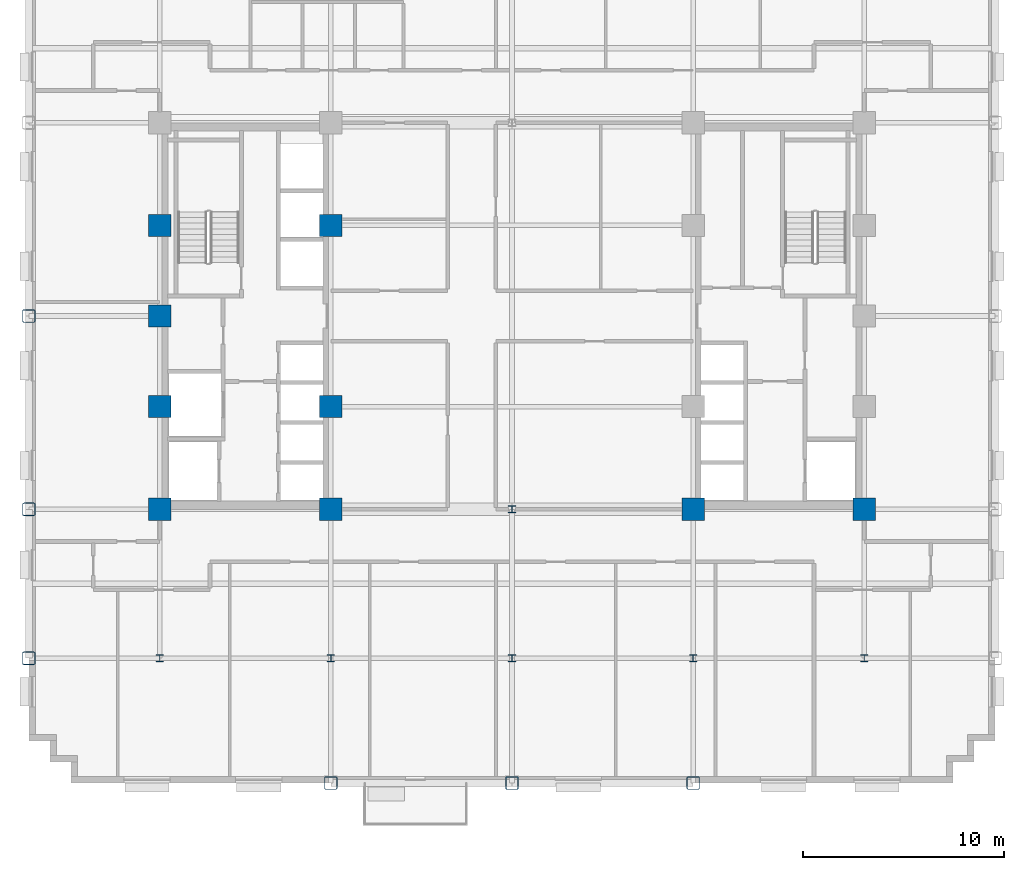
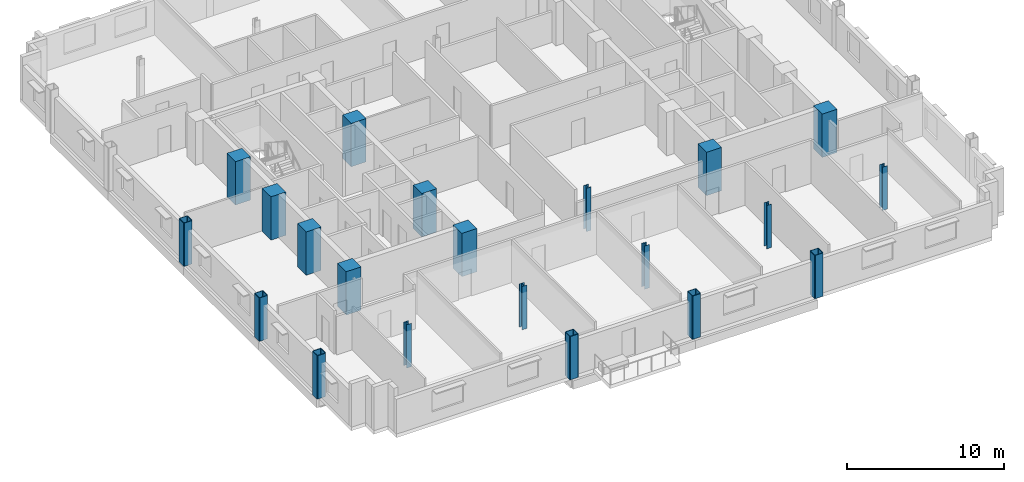
# One storey, part 1 of 14: 21 columns.
"""IFC4 building model written with IfcOpenShell, lengths in metres."""

import ifcopenshell
import ifcopenshell.guid

model = None  # the IFC model being written
_history = None  # IfcOwnerHistory: only IFC2X3 demands one
_inside = {}  # id of a spatial element -> (the spatial element, [elements in it])
_under = {}  # id of a project, library or spatial element -> (it, [spatial elements below it])
_declared = {}  # id of a project -> (the project, [libraries it declares])
_typed = {}  # id of a type object -> (the type object, [elements of that type])
_made_of = {}  # id of a material, layer set ... -> (it, [elements and type objects made of it])


def new_model(schema):
    """Start an empty IFC model of exactly this schema.

    Asked for "IFC4X3", IfcOpenShell would pick the latest addendum, in which some entities
    have other attributes; the version numbers below select the first issue.
    IFC2X3 requires an IfcOwnerHistory on every rooted entity: one is made here for all.
    """
    global model, _history
    if schema == "IFC4X3":
        model = ifcopenshell.file(schema_version=(4, 3, 0, 0))
    else:
        model = ifcopenshell.file(schema=schema)
    _inside.clear()
    _under.clear()
    _declared.clear()
    _typed.clear()
    _made_of.clear()
    _history = None
    if model.schema == "IFC2X3":
        org = make("IfcOrganization", Name="unknown")
        user = make(
            "IfcPersonAndOrganization",
            ThePerson=make("IfcPerson", FamilyName="unknown"),
            TheOrganization=org,
        )
        app = make(
            "IfcApplication",
            ApplicationDeveloper=org,
            Version="unknown",
            ApplicationFullName="unknown",
            ApplicationIdentifier="unknown",
        )
        _history = make(
            "IfcOwnerHistory",
            OwningUser=user,
            OwningApplication=app,
            ChangeAction="ADDED",
            CreationDate=0,
        )
    return model


def make(cls, **values):
    """One entity of the class cls with the attributes given. An attribute that is None is left unset."""
    return model.create_entity(
        cls, **{name: value for name, value in values.items() if value is not None}
    )


def rooted(cls, **values):
    """An entity with a GlobalId (a new one), such as an element, a storey or a relation."""
    return make(cls, GlobalId=ifcopenshell.guid.new(), OwnerHistory=_history, **values)


def si_unit(unit_type, name, prefix=None):
    """IfcSIUnit, for example si_unit("LENGTHUNIT", "METRE", prefix="MILLI")."""
    return make("IfcSIUnit", UnitType=unit_type, Prefix=prefix, Name=name)


def assignment(units):
    """IfcUnitAssignment: the units of a project."""
    return None if units is None else make("IfcUnitAssignment", Units=units)


def point(xyz):
    """IfcCartesianPoint."""
    return None if xyz is None else make("IfcCartesianPoint", Coordinates=xyz)


def direction(xyz):
    """IfcDirection."""
    return None if xyz is None else make("IfcDirection", DirectionRatios=xyz)


def frame(location, z_axis=None, x_axis=None):
    """IfcAxis2Placement3D, a coordinate frame: its origin and axes. An axis left out is left unset."""
    return make(
        "IfcAxis2Placement3D",
        Location=point(location),
        Axis=direction(z_axis),
        RefDirection=direction(x_axis),
    )


def frame_2d(location, x_axis=None):
    """IfcAxis2Placement2D, a coordinate frame in the plane: its origin and x axis."""
    return make(
        "IfcAxis2Placement2D", Location=point(location), RefDirection=direction(x_axis)
    )


def origin():
    """The frame at (0, 0, 0) with its axes left unset."""
    return frame((0.0, 0.0, 0.0))


def origin_2d():
    """The frame at (0, 0) in the plane with its x axis left unset."""
    return frame_2d((0.0, 0.0))


def place(relative_to, where):
    """IfcLocalPlacement: puts the frame where relative to a parent placement (None: the world)."""
    return make(
        "IfcLocalPlacement", PlacementRelTo=relative_to, RelativePlacement=where
    )


def context(
    kind, dimensions, precision=None, world=None, true_north=None, identifier=None
):
    """IfcGeometricRepresentationContext, for example the 3D "Model" context."""
    return make(
        "IfcGeometricRepresentationContext",
        ContextIdentifier=identifier,
        ContextType=kind,
        CoordinateSpaceDimension=dimensions,
        Precision=precision,
        WorldCoordinateSystem=world,
        TrueNorth=true_north,
    )


def subcontext(parent, identifier, kind, view, scale=None):
    """IfcGeometricRepresentationSubContext, for example "Body" below "Model"."""
    return make(
        "IfcGeometricRepresentationSubContext",
        ContextIdentifier=identifier,
        ContextType=kind,
        ParentContext=parent,
        TargetScale=scale,
        TargetView=view,
    )


def project(units=None, contexts=None):
    """IfcProject with its units and contexts."""
    return rooted(
        "IfcProject",
        Name="project",
        RepresentationContexts=contexts,
        UnitsInContext=assignment(units),
    )


def spatial(cls, under=None, at=None, **own):
    """A site, building, storey or space (cls), placed at a placement, below another one or the project."""
    s = rooted(cls, ObjectPlacement=at, **own)
    if under is not None:
        _under.setdefault(under.id(), (under, []))[1].append(s)
    return s


def profile(cls, at=None, kind="AREA", **sizes):
    """A parametric profile (cls). Its sizes go by their IFC names, for example OverallWidth=200.0."""
    return make(cls, ProfileType=kind, Position=at, **sizes)


def rectangle(**sizes):
    """IfcRectangleProfileDef."""
    return profile("IfcRectangleProfileDef", **sizes)


def hollow_rectangle(**sizes):
    """IfcRectangleHollowProfileDef."""
    return profile("IfcRectangleHollowProfileDef", **sizes)


def i_section(**sizes):
    """IfcIShapeProfileDef."""
    return profile("IfcIShapeProfileDef", **sizes)


def extrude(swept, where, along, depth):
    """IfcExtrudedAreaSolid: the profile swept, set in the frame where, extruded along a direction by depth."""
    return make(
        "IfcExtrudedAreaSolid",
        SweptArea=swept,
        Position=where,
        ExtrudedDirection=direction(along),
        Depth=depth,
    )


def shape(context_of_items, identifier, shape_type, items):
    """IfcShapeRepresentation: the items that make up one representation, for example the "Body"."""
    return make(
        "IfcShapeRepresentation",
        ContextOfItems=context_of_items,
        RepresentationIdentifier=identifier,
        RepresentationType=shape_type,
        Items=items,
    )


def material(Name=None, Category=None):
    """IfcMaterial."""
    return make("IfcMaterial", Name=Name, Category=Category)


def material_profile(
    of_material, cross_section, Name=None, Category=None, Priority=None
):
    """IfcMaterialProfile: a cross section and its material."""
    return make(
        "IfcMaterialProfile",
        Name=Name,
        Material=of_material,
        Profile=cross_section,
        Priority=Priority,
        Category=Category,
    )


def profile_set(profiles, Name=None, composite=None):
    """IfcMaterialProfileSet."""
    return make(
        "IfcMaterialProfileSet",
        Name=Name,
        MaterialProfiles=profiles,
        CompositeProfile=composite,
    )


def made_of(thing, what):
    """Note that an element or type object is made of a material, layer set ...; save() writes the relation."""
    if what is not None:
        _made_of.setdefault(what.id(), (what, []))[1].append(thing)
    return thing


def type_object(cls, material=None, **own):
    """A type object (cls), such as IfcWallType, which elements share."""
    return made_of(rooted(cls, **own), material)


def element(
    cls,
    number,
    at=None,
    inside=None,
    cuts=None,
    type_object=None,
    material=None,
    context=None,
    identifier="Body",
    shape_type=None,
    held_by="IfcProductDefinitionShape",
    body=None,
    shapes=None,
    **own,
):
    """One element of the class cls, such as IfcWall. Its Tag is "e" and its number.

    at: its placement. inside: the storey or other place that contains it. cuts: it is an
    opening in that element (IfcRelVoidsElement). A single representation is given by context,
    identifier, shape_type and body (its items); several are given by shapes. held_by: the class
    of the entity that holds the representations. save() writes the other relations.
    """
    e = rooted(cls, Tag="e%d" % number, ObjectPlacement=at, **own)
    if body is not None:
        shapes = [shape(context, identifier, shape_type, body)]
    if shapes is not None:
        e.Representation = make(held_by, Representations=shapes)
    if inside is not None:
        _inside.setdefault(inside.id(), (inside, []))[1].append(e)
    if cuts is not None:
        rooted(
            "IfcRelVoidsElement", RelatingBuildingElement=cuts, RelatedOpeningElement=e
        )
    if type_object is not None:
        _typed.setdefault(type_object.id(), (type_object, []))[1].append(e)
    return made_of(e, material)


def aggregate(whole, parts):
    """IfcRelAggregates: a whole, such as a stair, and the parts it consists of."""
    return rooted("IfcRelAggregates", RelatingObject=whole, RelatedObjects=parts)


def save(model, path):
    """Write the relations noted so far, then the file.

    IfcRelAggregates (storeys below a building ...), IfcRelContainedInSpatialStructure (elements
    in a storey), IfcRelDefinesByType, IfcRelAssociatesMaterial and IfcRelDeclares: one each for
    every whole, place, type object, material and project.
    """
    for whole, parts in _under.values():
        aggregate(whole, parts)
    for where, things in _inside.values():
        rooted(
            "IfcRelContainedInSpatialStructure",
            RelatedElements=things,
            RelatingStructure=where,
        )
    for kind, things in _typed.values():
        rooted("IfcRelDefinesByType", RelatedObjects=things, RelatingType=kind)
    for what, things in _made_of.values():
        rooted("IfcRelAssociatesMaterial", RelatedObjects=things, RelatingMaterial=what)
    for by, libraries in _declared.values():
        rooted("IfcRelDeclares", RelatingContext=by, RelatedDefinitions=libraries)
    model.write(path)


model = new_model("IFC4")

# Units and contexts
model_context = context("Model", 3, precision=1e-05, world=origin(), true_north=direction((0.0, 1.0)))
body_context = subcontext(model_context, "Body", "Model", "MODEL_VIEW")
ifc_project = project(units=[si_unit("LENGTHUNIT", "METRE"), si_unit("AREAUNIT", "SQUARE_METRE"), si_unit("VOLUMEUNIT", "CUBIC_METRE"), si_unit("PLANEANGLEUNIT", "RADIAN"), si_unit("MASSUNIT", "GRAM", prefix="KILO")], contexts=[model_context])

# Site, building, storey
site_placement = place(None, origin())
site = spatial("IfcSite", under=ifc_project, at=site_placement, CompositionType="ELEMENT")
building_placement = place(site_placement, origin())
building = spatial("IfcBuilding", under=site, at=building_placement, Name="Nuvemarco Arch Tower", CompositionType="ELEMENT")
storey_placement = place(building_placement, frame((0.0, 0.0, 101.949951171875)))
storey = spatial("IfcBuildingStorey", under=building, at=storey_placement, Name="L26", CompositionType="ELEMENT", Elevation=101.949951171875)

# Columns
ifc_material_1 = material(Name="Concrete C60/75", Category="concrete")
ifc_material_profile_1 = material_profile(ifc_material_1, rectangle(XDim=1.10009765625, YDim=1.10009765625, at=origin_2d()), Name="RC-COL-1100x1100")
ifc_profile_set_1 = profile_set([ifc_material_profile_1], Name="Concrete C60/75")
column_type_1 = type_object("IfcColumnType", Name="COL-CORE-1100", PredefinedType="COLUMN", material=ifc_profile_set_1)
for number, where, z_axis, x_axis, name in (
    (1, (-17.5, -9.60009765625, 0.0), (0.0, 0.0, 1.0), (1.0, 0.0, 0.0), "L26 column CC_-17.5_-9.6"),
    (2, (-17.5, -4.5, 0.0), (0.0, 0.0, 1.0), (1.0, 0.0, 0.0), "L26 column CC_-17.5_-4.5"),
    (3, (-17.5, 4.5, 0.0), (0.0, 0.0, 1.0), (1.0, 0.0, 0.0), "L26 column CC_-17.5_+4.5"),
    (4, (-9.0, -9.60009765625, 0.0), (0.0, 0.0, 1.0), (1.0, 0.0, 0.0), "L26 column CC_-9.0_-9.6"),
    (5, (-9.0, -4.5, 0.0), (0.0, 0.0, 1.0), (1.0, 0.0, 0.0), "L26 column CC_-9.0_-4.5"),
    (6, (-9.0, 4.5, 0.0), (0.0, 0.0, 1.0), (1.0, 0.0, 0.0), "L26 column CC_-9.0_+4.5"),
    (7, (9.0, -9.60009765625, 0.0), (0.0, 0.0, 1.0), (1.0, 0.0, 0.0), "L26 column CC_+9.0_-9.6"),
    (8, (17.5, -9.60009765625, 0.0), (0.0, 0.0, 1.0), (1.0, 0.0, 0.0), "L26 column CC_+17.5_-9.6"),
    (9, (-17.5, 0.0, 0.0), (0.0, 0.0, 1.0), (1.0, 0.0, 0.0), "L26 column CC_-17.5_+0.0"),
):
    element("IfcColumn", number, at=place(storey_placement, frame(where, z_axis=z_axis, x_axis=x_axis)), inside=storey, type_object=column_type_1, Name=name, PredefinedType="COLUMN", context=body_context, shape_type="SweptSolid", body=[
        extrude(rectangle(XDim=1.10009765625, YDim=1.10009765625, at=origin_2d()), origin(), (0.0, 0.0, 1.0), 3.3701171875),
    ])
ifc_material_2 = material(Name="Steel S355", Category="steel")
ifc_material_profile_2 = material_profile(ifc_material_2, hollow_rectangle(XDim=0.64990234375, YDim=0.64990234375, WallThickness=0.0400390625, InnerFilletRadius=0.0400390625, OuterFilletRadius=0.080078125, at=origin_2d()), Name="SHS650x650x40")
ifc_profile_set_2 = profile_set([ifc_material_profile_2], Name="Steel S355")
column_type_2 = type_object("IfcColumnType", Name="COL-EXO-650", PredefinedType="COLUMN", material=ifc_profile_set_2)
for number, where, z_axis, x_axis, name in (
    (10, (-24.0, -17.0, 0.0), (0.0, 0.0, 1.0), (1.0, 0.0, 0.0), "L26 column CX_-24.0_-17.0"),
    (11, (-24.0, -9.60009765625, 0.0), (0.0, 0.0, 1.0), (1.0, 0.0, 0.0), "L26 column CX_-24.0_-9.6"),
    (12, (-24.0, 0.0, 0.0), (0.0, 0.0, 1.0), (1.0, 0.0, 0.0), "L26 column CX_-24.0_+0.0"),
    (13, (-9.0, -23.199951171875, 0.0), (0.0, 0.0, 1.0), (1.0, 0.0, 0.0), "L26 column CY_-9.0_-23.2"),
    (14, (0.0, -23.199951171875, 0.0), (0.0, 0.0, 1.0), (1.0, 0.0, 0.0), "L26 column CY_+0.0_-23.2"),
    (15, (9.0, -23.199951171875, 0.0), (0.0, 0.0, 1.0), (1.0, 0.0, 0.0), "L26 column CY_+9.0_-23.2"),
):
    element("IfcColumn", number, at=place(storey_placement, frame(where, z_axis=z_axis, x_axis=x_axis)), inside=storey, type_object=column_type_2, Name=name, PredefinedType="COLUMN", context=body_context, shape_type="SweptSolid", body=[
        extrude(hollow_rectangle(XDim=0.64990234375, YDim=0.64990234375, WallThickness=0.0400390625, InnerFilletRadius=0.0400390625, OuterFilletRadius=0.080078125, at=origin_2d()), origin(), (0.0, 0.0, 1.0), 3.3701171875),
    ])
ifc_material_profile_3 = material_profile(ifc_material_2, i_section(OverallWidth=0.360107421875, OverallDepth=0.360107421875, WebThickness=0.0205078125, FlangeThickness=0.0205078125, FilletRadius=0.01806640625, at=origin_2d()), Name="HP360x174")
ifc_profile_set_3 = profile_set([ifc_material_profile_3], Name="Steel S355")
column_type_3 = type_object("IfcColumnType", Name="COL-STL-HP360", PredefinedType="COLUMN", material=ifc_profile_set_3)
for number, where, z_axis, x_axis, name in (
    (16, (0.0, -17.0, 0.0), (0.0, 0.0, 1.0), (1.0, 0.0, 0.0), "L26 column CI_+0.0_-17.0"),
    (17, (0.0, -9.60009765625, 0.0), (0.0, 0.0, 1.0), (1.0, 0.0, 0.0), "L26 column CI_+0.0_-9.6"),
    (18, (-17.5, -17.0, 0.0), (0.0, 0.0, 1.0), (1.0, 0.0, 0.0), "L26 column CI_-17.5_-17.0"),
    (19, (-9.0, -17.0, 0.0), (0.0, 0.0, 1.0), (1.0, 0.0, 0.0), "L26 column CI_-9.0_-17.0"),
    (20, (9.0, -17.0, 0.0), (0.0, 0.0, 1.0), (1.0, 0.0, 0.0), "L26 column CI_+9.0_-17.0"),
    (21, (17.5, -17.0, 0.0), (0.0, 0.0, 1.0), (1.0, 0.0, 0.0), "L26 column CI_+17.5_-17.0"),
):
    element("IfcColumn", number, at=place(storey_placement, frame(where, z_axis=z_axis, x_axis=x_axis)), inside=storey, type_object=column_type_3, Name=name, PredefinedType="COLUMN", context=body_context, shape_type="SweptSolid", body=[
        extrude(i_section(OverallWidth=0.360107421875, OverallDepth=0.360107421875, WebThickness=0.0205078125, FlangeThickness=0.0205078125, FilletRadius=0.01806640625, at=origin_2d()), origin(), (0.0, 0.0, 1.0), 3.3701171875),
    ])

save(model, "model.ifc")
